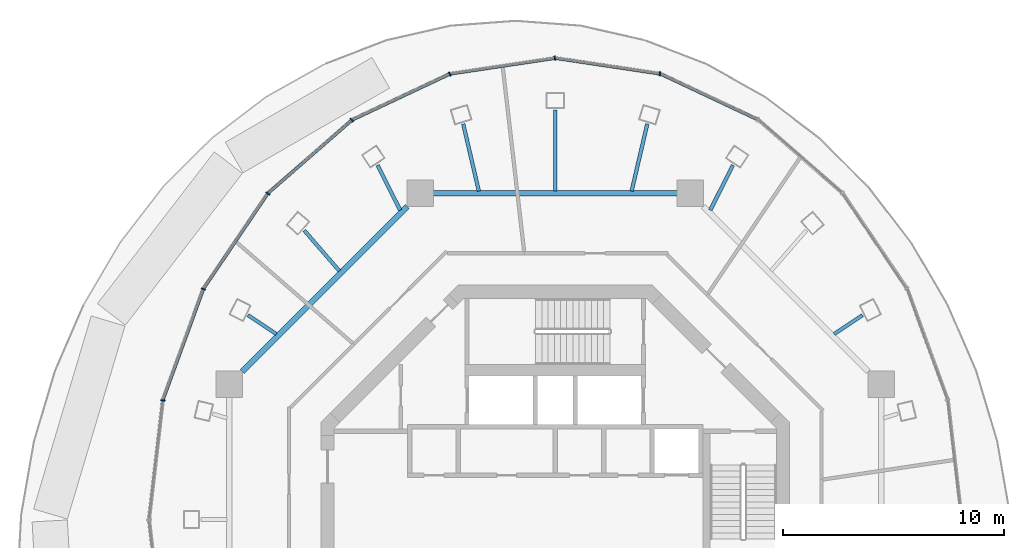
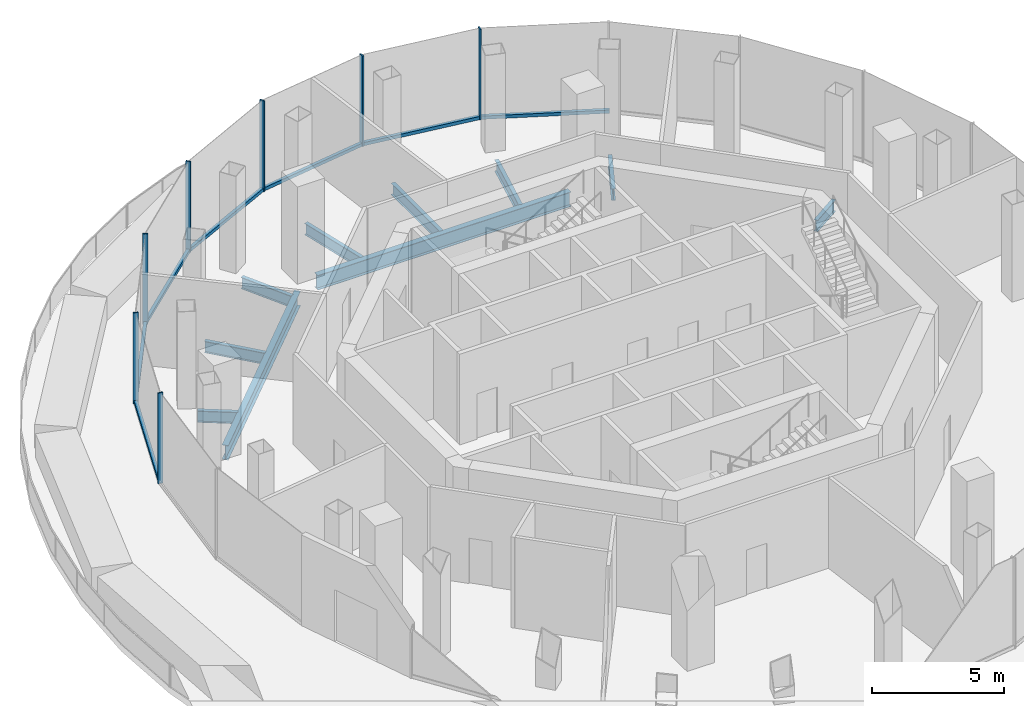
# One storey, part 4 of 12: 14 members, 10 beams, 8 elements without a shape of their own.
"""IFC4 building model written with IfcOpenShell, lengths in metres."""

from ifc_helpers import new_model, si_unit, direction, frame, origin, origin_2d, place, context, subcontext, project, spatial, rectangle, i_section, extrude, material, layer, layer_set, material_profile, profile_set, type_object, element, aggregate, save


model = new_model("IFC4")

# Units and contexts
model_context = context("Model", 3, precision=1e-05, world=origin(), true_north=direction((0.0, 1.0)))
body_context = subcontext(model_context, "Body", "Model", "MODEL_VIEW")
ifc_project = project(units=[si_unit("LENGTHUNIT", "METRE"), si_unit("AREAUNIT", "SQUARE_METRE"), si_unit("VOLUMEUNIT", "CUBIC_METRE"), si_unit("PLANEANGLEUNIT", "RADIAN"), si_unit("MASSUNIT", "GRAM", prefix="KILO")], contexts=[model_context])

# Site, building, storey
site_placement = place(None, origin())
site = spatial("IfcSite", under=ifc_project, at=site_placement, CompositionType="ELEMENT")
building_placement = place(site_placement, origin())
building = spatial("IfcBuilding", under=site, at=building_placement, Name="Nagisa Residences", CompositionType="ELEMENT")
storey_placement = place(building_placement, frame((0.0, 0.0, 315.89990234375)))
storey = spatial("IfcBuildingStorey", under=building, at=storey_placement, Name="L78", CompositionType="ELEMENT", Elevation=315.89990234375)

# Curtain wall, member
ifc_material_1 = material(Name="Aluminium curtain wall system", Category="aluminium")
ifc_layer = layer(ifc_material_1, 0.159912109375)
ifc_layer_set = layer_set([ifc_layer], Name="CW4 CURTAIN WALL")
curtain_wall_type = type_object("IfcCurtainWallType", Name="CW4 CURTAIN WALL", PredefinedType="NOTDEFINED", material=ifc_layer_set)
curtain_wall_1_placement = place(storey_placement, origin())
curtain_wall_1 = element("IfcCurtainWall", 1, at=curtain_wall_1_placement, inside=storey, type_object=curtain_wall_type, Name="cw:CW4:L78:05", PredefinedType="NOTDEFINED")
ifc_material_2 = material(Name="Aluminium", Category="aluminium")
ifc_material_profile_1 = material_profile(ifc_material_2, rectangle(XDim=0.199951171875, YDim=0.06005859375, at=origin_2d()), Name="CW4 MULLION 200x60")
ifc_profile_set_1 = profile_set([ifc_material_profile_1], Name="Aluminium")
member_type_1 = type_object("IfcMemberType", Name="CW4 MULLION 200x60", PredefinedType="MULLION", material=ifc_profile_set_1)
member_1_placement = place(storey_placement, frame((4.74658203125, 20.209716796875, 0.0), z_axis=(0.0, 0.0, 1.0), x_axis=(-0.147802033939, -0.989016965862, 0.0)))
member_1 = element("IfcMember", 2, at=member_1_placement, type_object=member_type_1, Name="CW4 mullion", PredefinedType="MULLION", context=body_context, shape_type="SweptSolid", body=[
    extrude(rectangle(XDim=0.199951171875, YDim=0.06005859375, at=origin_2d()), origin(), (0.0, 0.0, 1.0), 4.2001953125),
])

curtain_wall_2_placement = place(storey_placement, origin())
curtain_wall_2 = element("IfcCurtainWall", 3, at=curtain_wall_2_placement, inside=storey, type_object=curtain_wall_type, Name="cw:CW4:L78:06", PredefinedType="NOTDEFINED")
member_2_placement = place(storey_placement, frame((-0.017822265625, 20.91650390625, 0.0), z_axis=(0.0, 0.0, 1.0), x_axis=(0.147802033939, -0.989016965862, 0.0)))
member_2 = element("IfcMember", 4, at=member_2_placement, type_object=member_type_1, Name="CW4 mullion", PredefinedType="MULLION", context=body_context, shape_type="SweptSolid", body=[
    extrude(rectangle(XDim=0.199951171875, YDim=0.06005859375, at=origin_2d()), origin(), (0.0, 0.0, 1.0), 4.2001953125),
])

curtain_wall_3_placement = place(storey_placement, origin())
curtain_wall_3 = element("IfcCurtainWall", 5, at=curtain_wall_3_placement, inside=storey, type_object=curtain_wall_type, Name="cw:CW4:L78:07", PredefinedType="NOTDEFINED")
member_3_placement = place(storey_placement, frame((-4.78125, 20.19921875, 0.0), z_axis=(0.0, 0.0, 1.0), x_axis=(0.425500757356, -0.90495806836, 0.0)))
member_3 = element("IfcMember", 6, at=member_3_placement, type_object=member_type_1, Name="CW4 mullion", PredefinedType="MULLION", context=body_context, shape_type="SweptSolid", body=[
    extrude(rectangle(XDim=0.199951171875, YDim=0.06005859375, at=origin_2d()), origin(), (0.0, 0.0, 1.0), 4.2001953125),
])

curtain_wall_4_placement = place(storey_placement, origin())
curtain_wall_4 = element("IfcCurtainWall", 7, at=curtain_wall_4_placement, inside=storey, type_object=curtain_wall_type, Name="cw:CW4:L78:08", PredefinedType="NOTDEFINED")
member_4_placement = place(storey_placement, frame((-9.219970703125, 18.1064453125, 0.0), z_axis=(0.0, 0.0, 1.0), x_axis=(0.656803076821, -0.754062144839, 0.0)))
member_4 = element("IfcMember", 8, at=member_4_placement, type_object=member_type_1, Name="CW4 mullion", PredefinedType="MULLION", context=body_context, shape_type="SweptSolid", body=[
    extrude(rectangle(XDim=0.199951171875, YDim=0.06005859375, at=origin_2d()), origin(), (0.0, 0.0, 1.0), 4.2001953125),
])

curtain_wall_5_placement = place(storey_placement, origin())
curtain_wall_5 = element("IfcCurtainWall", 9, at=curtain_wall_5_placement, inside=storey, type_object=curtain_wall_type, Name="cw:CW4:L78:09", PredefinedType="NOTDEFINED")
member_5_placement = place(storey_placement, frame((-13.031982421875, 14.779541015625, 0.0), z_axis=(0.0, 0.0, 1.0), x_axis=(0.828472554652, -0.560029665453, 0.0)))
member_5 = element("IfcMember", 10, at=member_5_placement, type_object=member_type_1, Name="CW4 mullion", PredefinedType="MULLION", context=body_context, shape_type="SweptSolid", body=[
    extrude(rectangle(XDim=0.199951171875, YDim=0.06005859375, at=origin_2d()), origin(), (0.0, 0.0, 1.0), 4.2001953125),
])

curtain_wall_6_placement = place(storey_placement, origin())
curtain_wall_6 = element("IfcCurtainWall", 11, at=curtain_wall_6_placement, inside=storey, type_object=curtain_wall_type, Name="cw:CW4:L78:10", PredefinedType="NOTDEFINED")
member_6_placement = place(storey_placement, frame((-15.95654296875, 10.4443359375, 0.0), z_axis=(0.0, 0.0, 1.0), x_axis=(0.939410855128, -0.342793298167, 0.0)))
member_6 = element("IfcMember", 12, at=member_6_placement, type_object=member_type_1, Name="CW4 mullion", PredefinedType="MULLION", context=body_context, shape_type="SweptSolid", body=[
    extrude(rectangle(XDim=0.199951171875, YDim=0.06005859375, at=origin_2d()), origin(), (0.0, 0.0, 1.0), 4.2001953125),
])

curtain_wall_7_placement = place(storey_placement, origin())
curtain_wall_7 = element("IfcCurtainWall", 13, at=curtain_wall_7_placement, inside=storey, type_object=curtain_wall_type, Name="cw:CW4:L78:11", PredefinedType="NOTDEFINED")
member_7_placement = place(storey_placement, frame((-17.793701171875, 5.396240234375, 0.0), z_axis=(0.0, 0.0, 1.0), x_axis=(0.993341467827, -0.115207327437, 0.0)))
member_7 = element("IfcMember", 14, at=member_7_placement, type_object=member_type_1, Name="CW4 mullion", PredefinedType="MULLION", context=body_context, shape_type="SweptSolid", body=[
    extrude(rectangle(XDim=0.199951171875, YDim=0.06005859375, at=origin_2d()), origin(), (0.0, 0.0, 1.0), 4.2001953125),
])
aggregate(curtain_wall_7, [member_7])

curtain_wall_8_placement = place(storey_placement, origin())
curtain_wall_8 = element("IfcCurtainWall", 15, at=curtain_wall_8_placement, inside=storey, type_object=curtain_wall_type, Name="cw:CW4:L78:04", PredefinedType="NOTDEFINED")
ifc_material_3 = material(Name="Aluminium", Category="aluminium")
ifc_material_profile_2 = material_profile(ifc_material_3, rectangle(XDim=0.139892578125, YDim=0.14990234375, at=origin_2d()), Name="CW4 TRANSOM 140x150")
ifc_profile_set_2 = profile_set([ifc_material_profile_2], Name="Aluminium")
member_type_2 = type_object("IfcMemberType", Name="CW4 TRANSOM 140x150", PredefinedType="USERDEFINED", material=ifc_profile_set_2)
member_8_placement = place(storey_placement, frame((9.216064453125, 18.1142578125, 0.0751953125), z_axis=(-0.904961168887, 0.425494163069, 0.0), x_axis=(-0.425494163069, -0.904961168887, 0.0)))
member_8 = element("IfcMember", 16, at=member_8_placement, type_object=member_type_2, Name="CW4 transom", ObjectType="TRANSOM", PredefinedType="USERDEFINED", context=body_context, shape_type="SweptSolid", body=[
    extrude(rectangle(XDim=0.139892578125, YDim=0.14990234375, at=origin_2d()), origin(), (0.0, 0.0, 1.0), 4.930419921875),
])
aggregate(curtain_wall_8, [member_8])

# Member
member_9_placement = place(storey_placement, frame((4.7763671875, 20.205322265625, 0.0751953125), z_axis=(-0.989016106921, 0.147807781429, 0.0), x_axis=(-0.147807781429, -0.989016106921, 0.0)))
member_9 = element("IfcMember", 17, at=member_9_placement, type_object=member_type_2, Name="CW4 transom", ObjectType="TRANSOM", PredefinedType="USERDEFINED", context=body_context, shape_type="SweptSolid", body=[
    extrude(rectangle(XDim=0.139892578125, YDim=0.14990234375, at=origin_2d()), origin(), (0.0, 0.0, 1.0), 4.84130859375),
])

aggregate(curtain_wall_1, [member_1, member_9])

member_10_placement = place(storey_placement, frame((0.01171875, 20.9208984375, 0.0751953125), z_axis=(-0.989016106921, -0.147807781429, 0.0), x_axis=(0.147807781429, -0.989016106921, 0.0)))
member_10 = element("IfcMember", 18, at=member_10_placement, type_object=member_type_2, Name="CW4 transom", ObjectType="TRANSOM", PredefinedType="USERDEFINED", context=body_context, shape_type="SweptSolid", body=[
    extrude(rectangle(XDim=0.139892578125, YDim=0.14990234375, at=origin_2d()), origin(), (0.0, 0.0, 1.0), 4.84130859375),
])

aggregate(curtain_wall_2, [member_2, member_10])

member_11_placement = place(storey_placement, frame((-4.754150390625, 20.212158203125, 0.0751953125), z_axis=(-0.904961168887, -0.425494163069, 0.0), x_axis=(0.425494163069, -0.904961168887, 0.0)))
member_11 = element("IfcMember", 19, at=member_11_placement, type_object=member_type_2, Name="CW4 transom", ObjectType="TRANSOM", PredefinedType="USERDEFINED", context=body_context, shape_type="SweptSolid", body=[
    extrude(rectangle(XDim=0.139892578125, YDim=0.14990234375, at=origin_2d()), origin(), (0.0, 0.0, 1.0), 4.930419921875),
])

aggregate(curtain_wall_3, [member_3, member_11])

member_12_placement = place(storey_placement, frame((-9.197509765625, 18.126220703125, 0.0751953125), z_axis=(-0.754057031444, -0.656808947358, 0.0), x_axis=(0.656808947358, -0.754057031444, 0.0)))
member_12 = element("IfcMember", 20, at=member_12_placement, type_object=member_type_2, Name="CW4 transom", ObjectType="TRANSOM", PredefinedType="USERDEFINED", context=body_context, shape_type="SweptSolid", body=[
    extrude(rectangle(XDim=0.139892578125, YDim=0.14990234375, at=origin_2d()), origin(), (0.0, 0.0, 1.0), 5.081298828125),
])

aggregate(curtain_wall_4, [member_4, member_12])

member_13_placement = place(storey_placement, frame((-13.01513671875, 14.804443359375, 0.0751953125), z_axis=(-0.560011865881, -0.828484586503, 0.0), x_axis=(0.828484586503, -0.560011865881, 0.0)))
member_13 = element("IfcMember", 21, at=member_13_placement, type_object=member_type_2, Name="CW4 transom", ObjectType="TRANSOM", PredefinedType="USERDEFINED", context=body_context, shape_type="SweptSolid", body=[
    extrude(rectangle(XDim=0.139892578125, YDim=0.14990234375, at=origin_2d()), origin(), (0.0, 0.0, 1.0), 5.249755859375),
])

aggregate(curtain_wall_5, [member_5, member_13])

member_14_placement = place(storey_placement, frame((-15.9462890625, 10.47265625, 0.0751953125), z_axis=(-0.34278268103, -0.939414729279, 0.0), x_axis=(0.939414729279, -0.34278268103, 0.0)))
member_14 = element("IfcMember", 22, at=member_14_placement, type_object=member_type_2, Name="CW4 transom", ObjectType="TRANSOM", PredefinedType="USERDEFINED", context=body_context, shape_type="SweptSolid", body=[
    extrude(rectangle(XDim=0.139892578125, YDim=0.14990234375, at=origin_2d()), origin(), (0.0, 0.0, 1.0), 5.3916015625),
])

aggregate(curtain_wall_6, [member_6, member_14])

# Beams
ifc_material_4 = material(Name="Steel ASTM A572 Gr 50", Category="steel")
ifc_material_profile_3 = material_profile(ifc_material_4, i_section(OverallWidth=0.2529296875, OverallDepth=0.677978515625, WebThickness=0.01171875, FlangeThickness=0.016357421875, at=origin_2d()), Name="W690x125")
ifc_profile_set_3 = profile_set([ifc_material_profile_3], Name="Steel ASTM A572 Gr 50")
beam_type_1 = type_object("IfcBeamType", Name="Inner ring beam W690x125", PredefinedType="BEAM", material=ifc_profile_set_3)
beam_1_placement = place(storey_placement, frame((5.54296875, 14.781982421875, -0.638916015625), z_axis=(-1.0, 0.0, 0.0), x_axis=(0.0, -1.0, 0.0)))
element("IfcBeam", 23, at=beam_1_placement, inside=storey, type_object=beam_type_1, Name="beam:L78:ib2", PredefinedType="BEAM", context=body_context, shape_type="SweptSolid", body=[
    extrude(i_section(OverallWidth=0.2529296875, OverallDepth=0.677978515625, WebThickness=0.01171875, FlangeThickness=0.016357421875, at=origin_2d()), origin(), (0.0, 0.0, 1.0), 11.0859375),
])
beam_2_placement = place(storey_placement, frame((-6.708740234375, 14.1962890625, -0.638916015625), z_axis=(-0.707106781187, -0.707106781187, 0.0), x_axis=(0.707106781187, -0.707106781187, 0.0)))
element("IfcBeam", 24, at=beam_2_placement, inside=storey, type_object=beam_type_1, Name="beam:L78:ib3", PredefinedType="BEAM", context=body_context, shape_type="SweptSolid", body=[
    extrude(i_section(OverallWidth=0.2529296875, OverallDepth=0.677978515625, WebThickness=0.01171875, FlangeThickness=0.016357421875, at=origin_2d()), origin(), (0.0, 0.0, 1.0), 10.589111328125),
])
ifc_material_5 = material(Name="Steel ASTM A572 Gr 50", Category="steel")
ifc_material_profile_4 = material_profile(ifc_material_5, i_section(OverallWidth=0.166015625, OverallDepth=0.534912109375, WebThickness=0.01025390625, FlangeThickness=0.0166015625, at=origin_2d()), Name="W530x85")
ifc_profile_set_4 = profile_set([ifc_material_profile_4], Name="Steel ASTM A572 Gr 50")
beam_type_2 = type_object("IfcBeamType", Name="Radial beam W530x85", PredefinedType="BEAM", material=ifc_profile_set_4)
beam_3_placement = place(storey_placement, frame((13.9287109375, 9.260009765625, -0.5673828125), z_axis=(-0.832782103527, -0.553600910445, 0.0), x_axis=(0.553600910445, -0.832782103527, 0.0)))
element("IfcBeam", 25, at=beam_3_placement, inside=storey, type_object=beam_type_2, Name="beam:L78:rb03", PredefinedType="BEAM", context=body_context, shape_type="SweptSolid", body=[
    extrude(i_section(OverallWidth=0.166015625, OverallDepth=0.534912109375, WebThickness=0.01025390625, FlangeThickness=0.0166015625, at=origin_2d()), origin(), (0.0, 0.0, 1.0), 1.538330078125),
])
beam_4_placement = place(storey_placement, frame((8.055908203125, 16.067138671875, -0.5673828125), z_axis=(-0.448239313997, -0.893913596153, 0.0), x_axis=(0.893913596153, -0.448239313997, 0.0)))
element("IfcBeam", 26, at=beam_4_placement, inside=storey, type_object=beam_type_2, Name="beam:L78:rb05", PredefinedType="BEAM", context=body_context, shape_type="SweptSolid", body=[
    extrude(i_section(OverallWidth=0.166015625, OverallDepth=0.534912109375, WebThickness=0.01025390625, FlangeThickness=0.0166015625, at=origin_2d()), origin(), (0.0, 0.0, 1.0), 2.284423828125),
])
beam_5_placement = place(storey_placement, frame((4.1728515625, 17.9326171875, -0.5673828125), z_axis=(-0.226656564425, -0.973974743925, 0.0), x_axis=(0.973974743925, -0.226656564425, 0.0)))
element("IfcBeam", 27, at=beam_5_placement, inside=storey, type_object=beam_type_2, Name="beam:L78:rb06", PredefinedType="BEAM", context=body_context, shape_type="SweptSolid", body=[
    extrude(i_section(OverallWidth=0.166015625, OverallDepth=0.534912109375, WebThickness=0.01025390625, FlangeThickness=0.0166015625, at=origin_2d()), origin(), (0.0, 0.0, 1.0), 3.124755859375),
])
beam_6_placement = place(storey_placement, frame((0.0, 18.570068359375, -0.5673828125), z_axis=(0.0, -1.0, 0.0), x_axis=(1.0, 0.0, 0.0)))
element("IfcBeam", 28, at=beam_6_placement, inside=storey, type_object=beam_type_2, Name="beam:L78:rb07", PredefinedType="BEAM", context=body_context, shape_type="SweptSolid", body=[
    extrude(i_section(OverallWidth=0.166015625, OverallDepth=0.534912109375, WebThickness=0.01025390625, FlangeThickness=0.0166015625, at=origin_2d()), origin(), (0.0, 0.0, 1.0), 3.681396484375),
])
beam_7_placement = place(storey_placement, frame((-4.1728515625, 17.9326171875, -0.5673828125), z_axis=(0.226656564425, -0.973974743925, 0.0), x_axis=(0.973974743925, 0.226656564425, 0.0)))
element("IfcBeam", 29, at=beam_7_placement, inside=storey, type_object=beam_type_2, Name="beam:L78:rb08", PredefinedType="BEAM", context=body_context, shape_type="SweptSolid", body=[
    extrude(i_section(OverallWidth=0.166015625, OverallDepth=0.534912109375, WebThickness=0.01025390625, FlangeThickness=0.0166015625, at=origin_2d()), origin(), (0.0, 0.0, 1.0), 3.124755859375),
])
beam_8_placement = place(storey_placement, frame((-8.055908203125, 16.067138671875, -0.5673828125), z_axis=(0.448239313997, -0.893913596153, 0.0), x_axis=(0.893913596153, 0.448239313997, 0.0)))
element("IfcBeam", 30, at=beam_8_placement, inside=storey, type_object=beam_type_2, Name="beam:L78:rb09", PredefinedType="BEAM", context=body_context, shape_type="SweptSolid", body=[
    extrude(i_section(OverallWidth=0.166015625, OverallDepth=0.534912109375, WebThickness=0.01025390625, FlangeThickness=0.0166015625, at=origin_2d()), origin(), (0.0, 0.0, 1.0), 2.284423828125),
])
beam_9_placement = place(storey_placement, frame((-11.382568359375, 13.107177734375, -0.5673828125), z_axis=(0.655716746836, -0.755006985344, 0.0), x_axis=(0.755006985344, 0.655716746836, 0.0)))
element("IfcBeam", 31, at=beam_9_placement, inside=storey, type_object=beam_type_2, Name="beam:L78:rb10", PredefinedType="BEAM", context=body_context, shape_type="SweptSolid", body=[
    extrude(i_section(OverallWidth=0.166015625, OverallDepth=0.534912109375, WebThickness=0.01025390625, FlangeThickness=0.0166015625, at=origin_2d()), origin(), (0.0, 0.0, 1.0), 2.434326171875),
])
beam_10_placement = place(storey_placement, frame((-13.9287109375, 9.260009765625, -0.5673828125), z_axis=(0.832782103527, -0.553600910445, 0.0), x_axis=(0.553600910445, 0.832782103527, 0.0)))
element("IfcBeam", 32, at=beam_10_placement, inside=storey, type_object=beam_type_2, Name="beam:L78:rb11", PredefinedType="BEAM", context=body_context, shape_type="SweptSolid", body=[
    extrude(i_section(OverallWidth=0.166015625, OverallDepth=0.534912109375, WebThickness=0.01025390625, FlangeThickness=0.0166015625, at=origin_2d()), origin(), (0.0, 0.0, 1.0), 1.538330078125),
])

save(model, "model.ifc")
